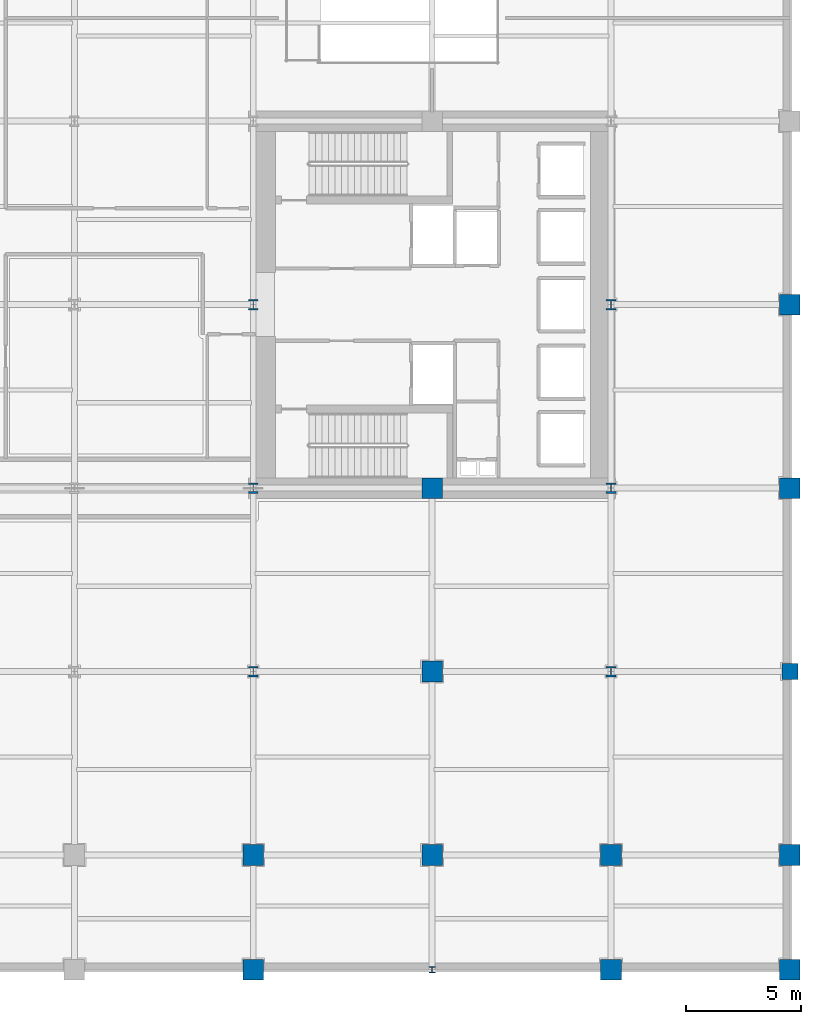
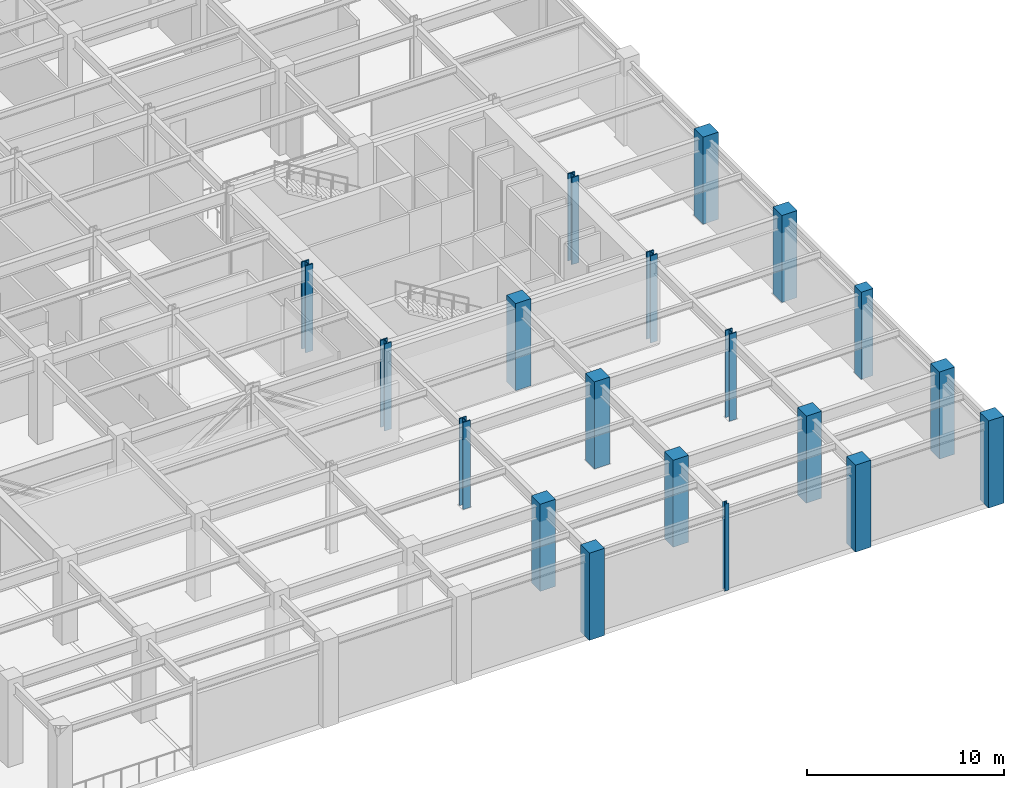
# One storey, part 2 of 14: 19 columns.
"""IFC4 building model written with IfcOpenShell, lengths in metres."""

from ifc_helpers import new_model, si_unit, direction, frame, origin, origin_2d, place, context, subcontext, project, spatial, rectangle, i_section, extrude, material, material_profile, profile_set, type_object, element, save


model = new_model("IFC4")

# Units and contexts
model_context = context("Model", 3, precision=1e-05, world=origin(), true_north=direction((0.0, 1.0)))
body_context = subcontext(model_context, "Body", "Model", "MODEL_VIEW")
ifc_project = project(units=[si_unit("LENGTHUNIT", "METRE"), si_unit("AREAUNIT", "SQUARE_METRE"), si_unit("VOLUMEUNIT", "CUBIC_METRE"), si_unit("PLANEANGLEUNIT", "RADIAN"), si_unit("MASSUNIT", "GRAM", prefix="KILO")], contexts=[model_context])

# Site, building, storey
site_placement = place(None, origin())
site = spatial("IfcSite", under=ifc_project, at=site_placement, CompositionType="ELEMENT")
building_placement = place(site_placement, origin())
building = spatial("IfcBuilding", under=site, at=building_placement, Name="Veymaron Broadcast Tower", CompositionType="ELEMENT")
storey_placement = place(building_placement, frame((0.0, 0.0, 27.0)))
storey = spatial("IfcBuildingStorey", under=building, at=storey_placement, Name="L05", CompositionType="ELEMENT", Elevation=27.0)

# Columns
ifc_material_1 = material(Name="Structural steel ASTM A913 Gr 65", Category="steel")
ifc_material_profile_1 = material_profile(ifc_material_1, i_section(OverallWidth=0.41796875, OverallDepth=0.455078125, WebThickness=0.0419921875, FlangeThickness=0.067626953125, at=origin_2d()), Name="W360X551")
ifc_profile_set_1 = profile_set([ifc_material_profile_1], Name="Structural steel ASTM A913 Gr 65")
column_type_1 = type_object("IfcColumnType", Name="COL-MC2", PredefinedType="COLUMN", material=ifc_profile_set_1)
for number, where, z_axis, x_axis, name in (
    (1, (39.0, 8.0, 0.0), (0.0, 0.0, 1.0), (1.0, 0.0, 0.0), "L05 column (39.0, 8.0)"),
    (2, (39.0, 16.0, 0.0), (0.0, 0.0, 1.0), (1.0, 0.0, 0.0), "L05 column (39.0, 16.0)"),
    (3, (39.0, 24.0, 0.0), (0.0, 0.0, 1.0), (1.0, 0.0, 0.0), "L05 column (39.0, 24.0)"),
    (4, (54.60009765625, 8.0, 0.0), (0.0, 0.0, 1.0), (1.0, 0.0, 0.0), "L05 column (54.6, 8.0)"),
    (5, (54.60009765625, 16.0, 0.0), (0.0, 0.0, 1.0), (1.0, 0.0, 0.0), "L05 column (54.6, 16.0)"),
    (6, (54.60009765625, 24.0, 0.0), (0.0, 0.0, 1.0), (1.0, 0.0, 0.0), "L05 column (54.6, 24.0)"),
):
    element("IfcColumn", number, at=place(storey_placement, frame(where, z_axis=z_axis, x_axis=x_axis)), inside=storey, type_object=column_type_1, Name=name, PredefinedType="COLUMN", context=body_context, shape_type="SweptSolid", body=[
        extrude(i_section(OverallWidth=0.41796875, OverallDepth=0.455078125, WebThickness=0.0419921875, FlangeThickness=0.067626953125, at=origin_2d()), origin(), (0.0, 0.0, 1.0), 5.39501953125),
    ])
ifc_material_2 = material(Name="Concrete C50/60", Category="concrete")
ifc_material_profile_2 = material_profile(ifc_material_2, rectangle(XDim=0.89990234375, YDim=0.89990234375, at=origin_2d()), Name="RC900X900")
ifc_profile_set_2 = profile_set([ifc_material_profile_2], Name="Concrete C50/60")
column_type_2 = type_object("IfcColumnType", Name="COL-RC4", PredefinedType="COLUMN", material=ifc_profile_set_2)
for number, where, z_axis, x_axis, name in (
    (7, (39.0, -5.0, 0.0), (0.0, 0.0, 1.0), (1.0, 0.0, 0.0), "L05 column (39.0, -5.0)"),
    (8, (39.0, 0.0, 0.0), (0.0, 0.0, 1.0), (1.0, 0.0, 0.0), "L05 column (39.0, 0.0)"),
    (9, (46.800048828125, 0.0, 0.0), (0.0, 0.0, 1.0), (1.0, 0.0, 0.0), "L05 column (46.8, 0.0)"),
    (10, (46.800048828125, 8.0, 0.0), (0.0, 0.0, 1.0), (1.0, 0.0, 0.0), "L05 column (46.8, 8.0)"),
    (11, (46.800048828125, 16.0, 0.0), (0.0, 0.0, 1.0), (1.0, 0.0, 0.0), "L05 column (46.8, 16.0)"),
    (12, (54.60009765625, -5.0, 0.0), (0.0, 0.0, 1.0), (1.0, 0.0, 0.0), "L05 column (54.6, -5.0)"),
    (13, (54.60009765625, 0.0, 0.0), (0.0, 0.0, 1.0), (1.0, 0.0, 0.0), "L05 column (54.6, 0.0)"),
    (14, (62.39990234375, -5.0, 0.0), (0.0, 0.0, 1.0), (1.0, 0.0, 0.0), "L05 column (62.4, -5.0)"),
    (15, (62.39990234375, 0.0, 0.0), (0.0, 0.0, 1.0), (1.0, 0.0, 0.0), "L05 column (62.4, 0.0)"),
    (16, (62.39990234375, 16.0, 0.0), (0.0, 0.0, 1.0), (1.0, 0.0, 0.0), "L05 column (62.4, 16.0)"),
    (17, (62.39990234375, 24.0, 0.0), (0.0, 0.0, 1.0), (1.0, 0.0, 0.0), "L05 column (62.4, 24.0)"),
):
    element("IfcColumn", number, at=place(storey_placement, frame(where, z_axis=z_axis, x_axis=x_axis)), inside=storey, type_object=column_type_2, Name=name, PredefinedType="COLUMN", context=body_context, shape_type="SweptSolid", body=[
        extrude(rectangle(XDim=0.89990234375, YDim=0.89990234375, at=origin_2d()), origin(), (0.0, 0.0, 1.0), 5.39501953125),
    ])
ifc_material_3 = material(Name="Concrete C40/50", Category="concrete")
ifc_material_profile_3 = material_profile(ifc_material_3, rectangle(XDim=0.699951171875, YDim=0.699951171875, at=origin_2d()), Name="RC700X700")
ifc_profile_set_3 = profile_set([ifc_material_profile_3], Name="Concrete C40/50")
column_type_3 = type_object("IfcColumnType", Name="COL-RC6", PredefinedType="PILASTER", material=ifc_profile_set_3)
column_1_placement = place(storey_placement, frame((62.39990234375, 8.0, 0.0), z_axis=(0.0, 0.0, 1.0), x_axis=(1.0, 0.0, 0.0)))
element("IfcColumn", 18, at=column_1_placement, inside=storey, type_object=column_type_3, Name="L05 column (62.4, 8.0)", PredefinedType="PILASTER", context=body_context, shape_type="SweptSolid", body=[
    extrude(rectangle(XDim=0.699951171875, YDim=0.699951171875, at=origin_2d()), origin(), (0.0, 0.0, 1.0), 5.39501953125),
])
ifc_material_4 = material(Name="Structural steel ASTM A992 Gr 50", Category="steel")
ifc_material_profile_4 = material_profile(ifc_material_4, i_section(OverallWidth=0.256103515625, OverallDepth=0.260009765625, WebThickness=0.0107421875, FlangeThickness=0.017333984375, at=origin_2d()), Name="W250X89")
ifc_profile_set_4 = profile_set([ifc_material_profile_4], Name="Structural steel ASTM A992 Gr 50")
column_type_4 = type_object("IfcColumnType", Name="COL-SC4", PredefinedType="PILASTER", material=ifc_profile_set_4)
column_2_placement = place(storey_placement, frame((46.800048828125, -5.0, 0.0), z_axis=(0.0, 0.0, 1.0), x_axis=(1.0, 0.0, 0.0)))
element("IfcColumn", 19, at=column_2_placement, inside=storey, type_object=column_type_4, Name="L05 column (46.8, -5.0)", PredefinedType="PILASTER", context=body_context, shape_type="SweptSolid", body=[
    extrude(i_section(OverallWidth=0.256103515625, OverallDepth=0.260009765625, WebThickness=0.0107421875, FlangeThickness=0.017333984375, at=origin_2d()), origin(), (0.0, 0.0, 1.0), 5.39501953125),
])

save(model, "model.ifc")
